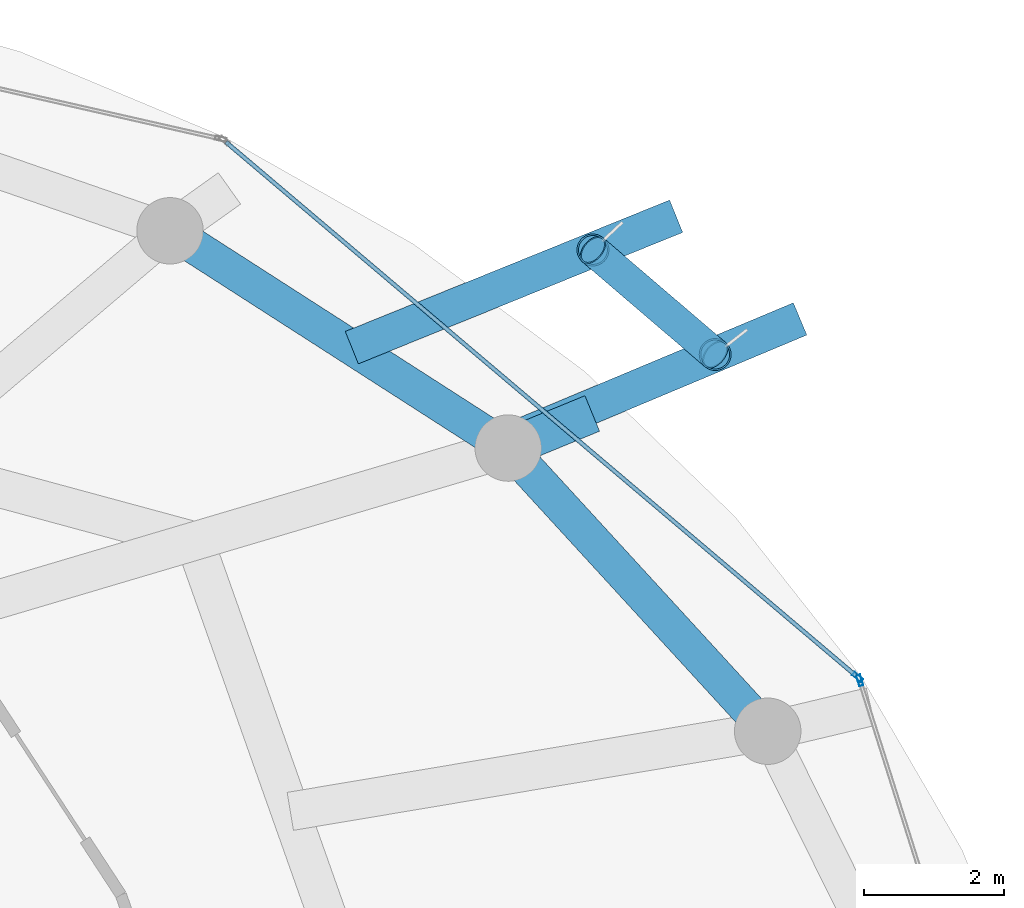
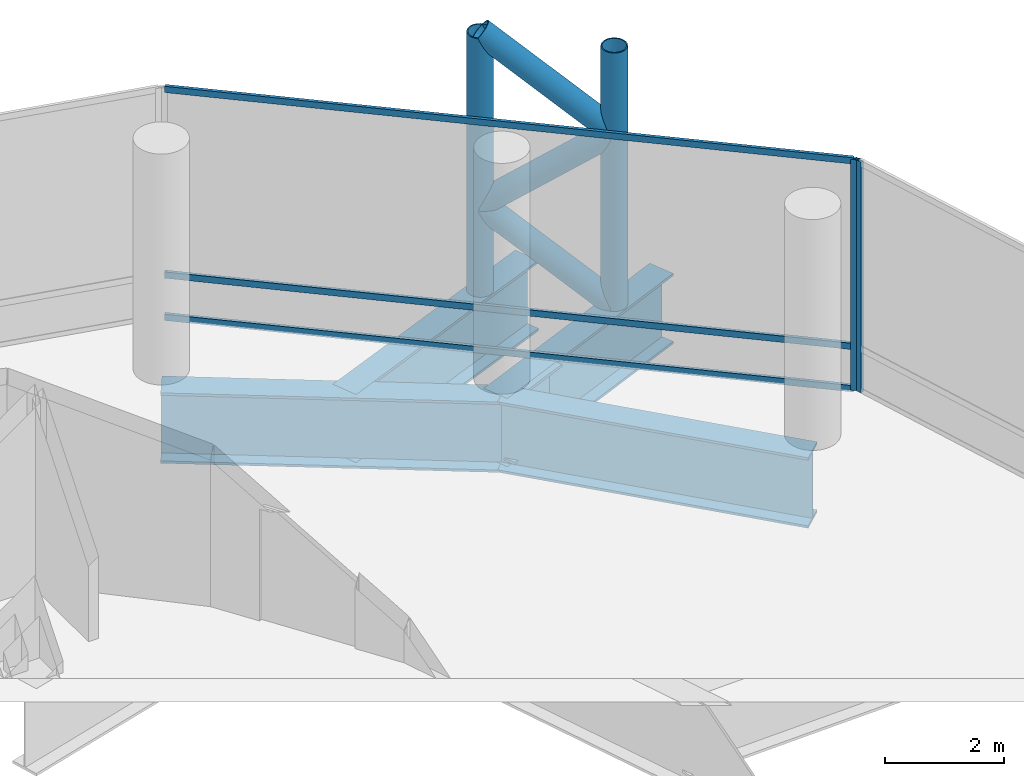
# One storey, part 19 of 29: 10 members, 5 beams, 2 elements without a shape of their own.
"""IFC4 building model written with IfcOpenShell, lengths in metres."""

from ifc_helpers import new_model, si_unit, direction, frame, origin, origin_2d, place, context, subcontext, project, spatial, hollow_rectangle, hollow_circle, i_section, extrude, material, layer, layer_set, material_profile, profile_set, type_object, element, aggregate, save


model = new_model("IFC4")

# Units and contexts
model_context = context("Model", 3, precision=1e-05, world=origin(), true_north=direction((0.0, 1.0)))
body_context = subcontext(model_context, "Body", "Model", "MODEL_VIEW")
ifc_project = project(units=[si_unit("LENGTHUNIT", "METRE"), si_unit("AREAUNIT", "SQUARE_METRE"), si_unit("VOLUMEUNIT", "CUBIC_METRE"), si_unit("PLANEANGLEUNIT", "RADIAN"), si_unit("MASSUNIT", "GRAM", prefix="KILO")], contexts=[model_context])

# Site, building, storey
site_placement = place(None, origin())
site = spatial("IfcSite", under=ifc_project, at=site_placement, CompositionType="ELEMENT")
building_placement = place(site_placement, origin())
building = spatial("IfcBuilding", under=site, at=building_placement, Name="Nuhasar Tower", CompositionType="ELEMENT")
storey_placement = place(building_placement, frame((0.0, 0.0, 113.25)))
storey = spatial("IfcBuildingStorey", under=building, at=storey_placement, Name="L26", CompositionType="ELEMENT", Elevation=113.25)

# Beams
ifc_material_1 = material(Name="Steel S460", Category="steel")
ifc_material_profile_1 = material_profile(ifc_material_1, i_section(OverallWidth=0.550048828125, OverallDepth=1.35009765625, WebThickness=0.028076171875, FlangeThickness=0.050048828125, at=origin_2d()), Name="PG1350X550")
ifc_profile_set_1 = profile_set([ifc_material_profile_1], Name="Steel S460")
beam_type_1 = type_object("IfcBeamType", Name="BM-XFER-PG1350", PredefinedType="USERDEFINED", material=ifc_profile_set_1)
beam_1_placement = place(storey_placement, frame((55.510986328125, 40.6240234375, -0.9951171875), z_axis=(0.924685878212, 0.380730911058, 0.0), x_axis=(-0.380730911058, 0.924685878212, 0.0)))
element("IfcBeam", 1, at=beam_1_placement, inside=storey, type_object=beam_type_1, Name="L26 Radial Step Transfer Girder 05", ObjectType="GIRDER", PredefinedType="USERDEFINED", context=body_context, shape_type="SweptSolid", body=[
    extrude(i_section(OverallWidth=0.550048828125, OverallDepth=1.35009765625, WebThickness=0.028076171875, FlangeThickness=0.050048828125, at=origin_2d()), origin(), (0.0, 0.0, 1.0), 1.2998046875),
])
ifc_material_profile_2 = material_profile(ifc_material_1, i_section(OverallWidth=0.5, OverallDepth=1.449951171875, WebThickness=0.028076171875, FlangeThickness=0.050048828125, at=origin_2d()), Name="PG1450X500")
ifc_profile_set_2 = profile_set([ifc_material_profile_2], Name="Steel S460")
beam_type_2 = type_object("IfcBeamType", Name="BM-XFER-PG1450", PredefinedType="USERDEFINED", material=ifc_profile_set_2)
beam_2_placement = place(storey_placement, frame((59.221923828125, 36.574951171875, -1.044921875), z_axis=(-0.675654174897, 0.737218716491, 0.0), x_axis=(-0.737218716491, -0.675654174897, 0.0)))
element("IfcBeam", 2, at=beam_2_placement, inside=storey, type_object=beam_type_2, Name="L26 Perimeter Ring Spandrel 03", ObjectType="GIRDER", PredefinedType="USERDEFINED", context=body_context, shape_type="SweptSolid", body=[
    extrude(i_section(OverallWidth=0.5, OverallDepth=1.449951171875, WebThickness=0.028076171875, FlangeThickness=0.050048828125, at=origin_2d()), origin(), (0.0, 0.0, 1.0), 5.492431640625),
])
beam_3_placement = place(storey_placement, frame((55.510986328125, 40.6240234375, -1.044921875), z_axis=(-0.841327486207, 0.540525726448, 0.0), x_axis=(-0.540525726448, -0.841327486207, 0.0)))
element("IfcBeam", 3, at=beam_3_placement, inside=storey, type_object=beam_type_2, Name="L26 Perimeter Ring Spandrel 04", ObjectType="GIRDER", PredefinedType="USERDEFINED", context=body_context, shape_type="SweptSolid", body=[
    extrude(i_section(OverallWidth=0.5, OverallDepth=1.449951171875, WebThickness=0.028076171875, FlangeThickness=0.050048828125, at=origin_2d()), origin(), (0.0, 0.0, 1.0), 5.748046875),
])
beam_4_placement = place(storey_placement, frame((55.419921875, 40.68310546875, -1.044921875), z_axis=(0.922253281797, 0.386586192478, 0.0), x_axis=(-0.386586192478, 0.922253281797, 0.0)))
element("IfcBeam", 4, at=beam_4_placement, inside=storey, type_object=beam_type_2, Name="L26 Exoskeleton Step Transfer Girder 03", ObjectType="GIRDER", PredefinedType="USERDEFINED", context=body_context, shape_type="SweptSolid", body=[
    extrude(i_section(OverallWidth=0.5, OverallDepth=1.449951171875, WebThickness=0.028076171875, FlangeThickness=0.050048828125, at=origin_2d()), origin(), (0.0, 0.0, 1.0), 4.624755859375),
])
beam_5_placement = place(storey_placement, frame((53.27490234375, 42.06005859375, -1.044921875), z_axis=(0.926839317348, 0.375458226461, 0.0), x_axis=(-0.375458226461, 0.926839317348, 0.0)))
element("IfcBeam", 5, at=beam_5_placement, inside=storey, type_object=beam_type_2, Name="L26 Exoskeleton Step Transfer Girder 04", ObjectType="GIRDER", PredefinedType="USERDEFINED", context=body_context, shape_type="SweptSolid", body=[
    extrude(i_section(OverallWidth=0.5, OverallDepth=1.449951171875, WebThickness=0.028076171875, FlangeThickness=0.050048828125, at=origin_2d()), origin(), (0.0, 0.0, 1.0), 5.00439453125),
])

# Curtain wall, member
ifc_material_2 = material(Name="Aluminium 6063-T6", Category="aluminium")
ifc_layer = layer(ifc_material_2, 0.239990234375)
ifc_layer_set = layer_set([ifc_layer], Name="Aluminium 6063-T6")
curtain_wall_type = type_object("IfcCurtainWallType", Name="CW-SKY-LBY", PredefinedType="NOTDEFINED", material=ifc_layer_set)
curtain_wall_1_placement = place(storey_placement, origin())
curtain_wall_1 = element("IfcCurtainWall", 6, at=curtain_wall_1_placement, inside=storey, type_object=curtain_wall_type, Name="L26 Unitised Curtain Wall 01", PredefinedType="NOTDEFINED")
ifc_material_profile_3 = material_profile(ifc_material_2, hollow_rectangle(XDim=0.06005859375, YDim=0.159912109375, WallThickness=0.0048828125, at=origin_2d()), Name="CWM-6")
ifc_profile_set_3 = profile_set([ifc_material_profile_3], Name="Aluminium 6063-T6")
member_type_1 = type_object("IfcMemberType", Name="CW-MUL-S6", PredefinedType="MULLION", material=ifc_profile_set_3)
member_1_placement = place(storey_placement, frame((60.5380859375, 37.301513671875, 0.0), z_axis=(0.0, 0.0, 1.0), x_axis=(-0.953433389233, -0.301603667577, 0.0)))
member_1 = element("IfcMember", 7, at=member_1_placement, type_object=member_type_1, Name="CW-SL mullion 2", PredefinedType="MULLION", context=body_context, shape_type="SweptSolid", body=[
    extrude(hollow_rectangle(XDim=0.06005859375, YDim=0.159912109375, WallThickness=0.0048828125, at=origin_2d()), origin(), (0.0, 0.0, 1.0), 4.75),
])
aggregate(curtain_wall_1, [member_1])

# Curtain wall, members
curtain_wall_2_placement = place(storey_placement, origin())
curtain_wall_2 = element("IfcCurtainWall", 8, at=curtain_wall_2_placement, inside=storey, type_object=curtain_wall_type, Name="L26 Unitised Curtain Wall 02", PredefinedType="NOTDEFINED")
member_2_placement = place(storey_placement, frame((60.506103515625, 37.349365234375, 0.0), z_axis=(0.0, 0.0, 1.0), x_axis=(-0.646374438324, -0.763020370292, 0.0)))
member_2 = element("IfcMember", 9, at=member_2_placement, type_object=member_type_1, Name="CW-SL mullion 1", PredefinedType="MULLION", context=body_context, shape_type="SweptSolid", body=[
    extrude(hollow_rectangle(XDim=0.06005859375, YDim=0.159912109375, WallThickness=0.0048828125, at=origin_2d()), origin(), (0.0, 0.0, 1.0), 4.75),
])
ifc_material_profile_4 = material_profile(ifc_material_2, hollow_rectangle(XDim=0.06005859375, YDim=0.1298828125, WallThickness=0.00439453125, at=origin_2d()), Name="CWT-6")
ifc_profile_set_4 = profile_set([ifc_material_profile_4], Name="Aluminium 6063-T6")
member_type_2 = type_object("IfcMemberType", Name="CW-TRN-S6", PredefinedType="USERDEFINED", material=ifc_profile_set_4)
member_3_placement = place(storey_placement, frame((60.483154296875, 37.368896484375, 0.030029296875), z_axis=(-0.76301903182, 0.646376018336, 0.0), x_axis=(-0.646376018336, -0.76301903182, 0.0)))
member_3 = element("IfcMember", 10, at=member_3_placement, type_object=member_type_2, Name="CW-SL transom 1.1", ObjectType="TRANSOM", PredefinedType="USERDEFINED", context=body_context, shape_type="SweptSolid", body=[
    extrude(hollow_rectangle(XDim=0.06005859375, YDim=0.1298828125, WallThickness=0.00439453125, at=origin_2d()), origin(), (0.0, 0.0, 1.0), 11.804931640625),
])
member_4_placement = place(storey_placement, frame((60.483154296875, 37.368896484375, 0.89990234375), z_axis=(-0.76301903182, 0.646376018336, 0.0), x_axis=(-0.646376018336, -0.76301903182, 0.0)))
member_4 = element("IfcMember", 11, at=member_4_placement, type_object=member_type_2, Name="CW-SL transom 1.2", ObjectType="TRANSOM", PredefinedType="USERDEFINED", context=body_context, shape_type="SweptSolid", body=[
    extrude(hollow_rectangle(XDim=0.06005859375, YDim=0.1298828125, WallThickness=0.00439453125, at=origin_2d()), origin(), (0.0, 0.0, 1.0), 11.804931640625),
])
member_5_placement = place(storey_placement, frame((60.483154296875, 37.368896484375, 4.719970703125), z_axis=(-0.76301903182, 0.646376018336, 0.0), x_axis=(-0.646376018336, -0.76301903182, 0.0)))
member_5 = element("IfcMember", 12, at=member_5_placement, type_object=member_type_2, Name="CW-SL transom 1.3", ObjectType="TRANSOM", PredefinedType="USERDEFINED", context=body_context, shape_type="SweptSolid", body=[
    extrude(hollow_rectangle(XDim=0.06005859375, YDim=0.1298828125, WallThickness=0.00439453125, at=origin_2d()), origin(), (0.0, 0.0, 1.0), 11.804931640625),
])
aggregate(curtain_wall_2, [member_2, member_3, member_4, member_5])

# Members
ifc_material_profile_5 = material_profile(ifc_material_1, hollow_circle(Radius=0.228515625, WallThickness=0.022216796875, at=origin_2d()), Name="HSS457X22.2")
ifc_profile_set_5 = profile_set([ifc_material_profile_5], Name="Steel S460")
member_type_3 = type_object("IfcMemberType", Name="EXO-BRONZE-457", PredefinedType="BRACE", material=ifc_profile_set_5)
for number, where, z_axis, x_axis, name in (
    (13, (58.470947265625, 41.9619140625, -0.320068359375), (0.0, 0.0, 1.0), (1.0, 0.0, 0.0), "L26 Exoskeleton Chord Column EC-02A"),
    (14, (56.722900390625, 43.45703125, -0.320068359375), (0.0, 0.0, 1.0), (1.0, 0.0, 0.0), "L26 Exoskeleton Chord Column EC-02B"),
):
    element("IfcMember", number, at=place(storey_placement, frame(where, z_axis=z_axis, x_axis=x_axis)), inside=storey, type_object=member_type_3, Name=name, PredefinedType="BRACE", context=body_context, shape_type="SweptSolid", body=[
        extrude(hollow_circle(Radius=0.228515625, WallThickness=0.022216796875, at=origin_2d()), origin(), (0.0, 0.0, 1.0), 5.320068359375),
    ])
member_6_placement = place(storey_placement, frame((58.470947265625, 41.9619140625, -0.320068359375), z_axis=(-0.60190254279, 0.514811616208, 0.610477132087), x_axis=(-0.649986859795, -0.759945446788, 0.0)))
element("IfcMember", 15, at=member_6_placement, inside=storey, type_object=member_type_3, Name="L26 Bronze Diagrid Brace W1-02", PredefinedType="BRACE", context=body_context, shape_type="SweptSolid", body=[
    extrude(hollow_circle(Radius=0.228515625, WallThickness=0.022216796875, at=origin_2d()), origin(), (0.0, 0.0, 1.0), 2.904296875),
])
member_7_placement = place(storey_placement, frame((56.722900390625, 43.45703125, 1.452880859375), z_axis=(0.601748102345, -0.514679522173, 0.610740706667), x_axis=(0.649986859795, 0.759945446788, 0.0)))
element("IfcMember", 16, at=member_7_placement, inside=storey, type_object=member_type_3, Name="L26 Bronze Diagrid Brace W2-02", PredefinedType="BRACE", context=body_context, shape_type="SweptSolid", body=[
    extrude(hollow_circle(Radius=0.228515625, WallThickness=0.022216796875, at=origin_2d()), origin(), (0.0, 0.0, 1.0), 2.905029296875),
])
member_8_placement = place(storey_placement, frame((58.470947265625, 41.9619140625, 3.22705078125), z_axis=(-0.60190254279, 0.514811616208, 0.610477132087), x_axis=(-0.649986859795, -0.759945446788, 0.0)))
element("IfcMember", 17, at=member_8_placement, inside=storey, type_object=member_type_3, Name="L26 Bronze Diagrid Brace W3-02", PredefinedType="BRACE", context=body_context, shape_type="SweptSolid", body=[
    extrude(hollow_circle(Radius=0.228515625, WallThickness=0.022216796875, at=origin_2d()), origin(), (0.0, 0.0, 1.0), 2.904296875),
])

save(model, "model.ifc")
